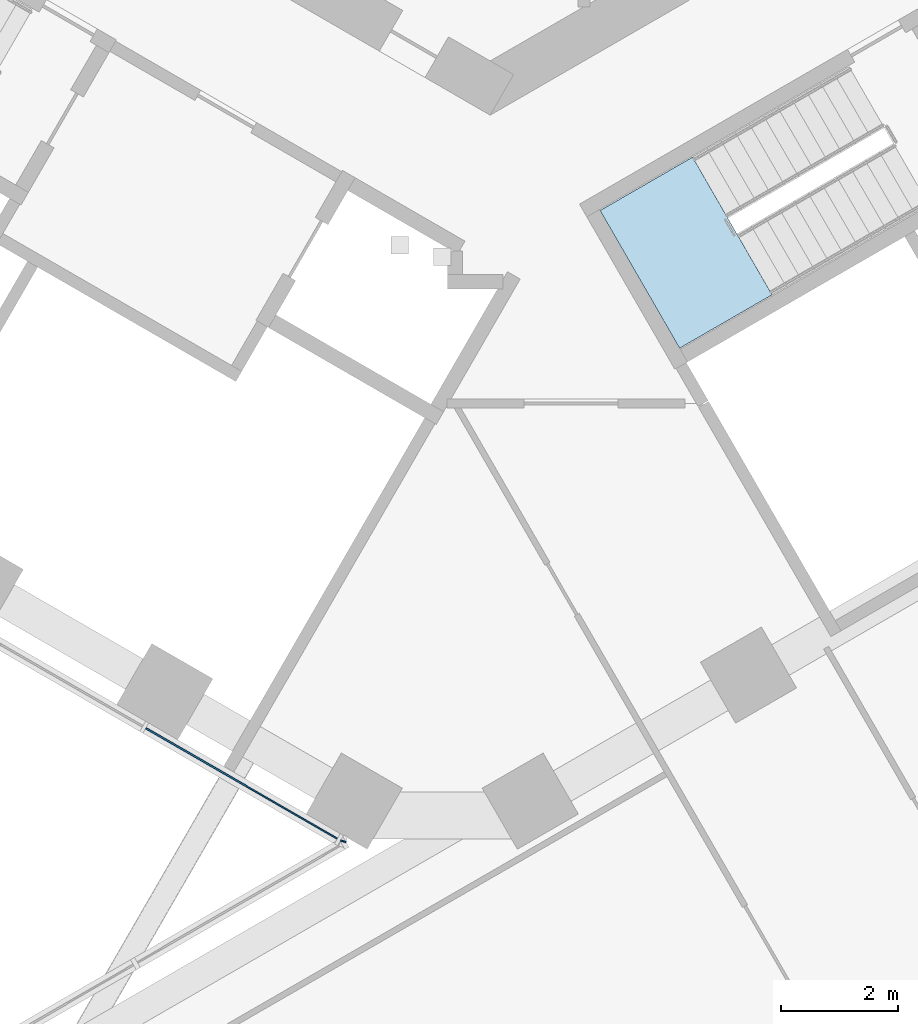
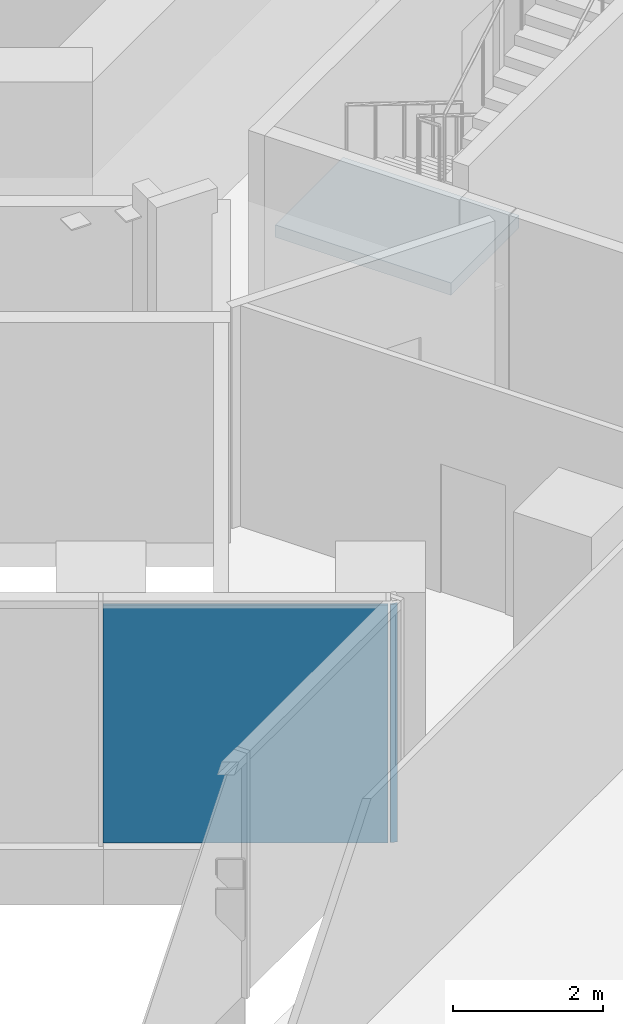
# One storey, part 13 of 27: 2 plates, 1 slab, 3 elements without a shape of their own.
"""IFC4 building model written with IfcOpenShell, lengths in metres."""

import ifcopenshell
import ifcopenshell.guid

model = None  # the IFC model being written
_history = None  # IfcOwnerHistory: only IFC2X3 demands one
_inside = {}  # id of a spatial element -> (the spatial element, [elements in it])
_under = {}  # id of a project, library or spatial element -> (it, [spatial elements below it])
_declared = {}  # id of a project -> (the project, [libraries it declares])
_typed = {}  # id of a type object -> (the type object, [elements of that type])
_made_of = {}  # id of a material, layer set ... -> (it, [elements and type objects made of it])


def new_model(schema):
    """Start an empty IFC model of exactly this schema.

    Asked for "IFC4X3", IfcOpenShell would pick the latest addendum, in which some entities
    have other attributes; the version numbers below select the first issue.
    IFC2X3 requires an IfcOwnerHistory on every rooted entity: one is made here for all.
    """
    global model, _history
    if schema == "IFC4X3":
        model = ifcopenshell.file(schema_version=(4, 3, 0, 0))
    else:
        model = ifcopenshell.file(schema=schema)
    _inside.clear()
    _under.clear()
    _declared.clear()
    _typed.clear()
    _made_of.clear()
    _history = None
    if model.schema == "IFC2X3":
        org = make("IfcOrganization", Name="unknown")
        user = make(
            "IfcPersonAndOrganization",
            ThePerson=make("IfcPerson", FamilyName="unknown"),
            TheOrganization=org,
        )
        app = make(
            "IfcApplication",
            ApplicationDeveloper=org,
            Version="unknown",
            ApplicationFullName="unknown",
            ApplicationIdentifier="unknown",
        )
        _history = make(
            "IfcOwnerHistory",
            OwningUser=user,
            OwningApplication=app,
            ChangeAction="ADDED",
            CreationDate=0,
        )
    return model


def make(cls, **values):
    """One entity of the class cls with the attributes given. An attribute that is None is left unset."""
    return model.create_entity(
        cls, **{name: value for name, value in values.items() if value is not None}
    )


def rooted(cls, **values):
    """An entity with a GlobalId (a new one), such as an element, a storey or a relation."""
    return make(cls, GlobalId=ifcopenshell.guid.new(), OwnerHistory=_history, **values)


def si_unit(unit_type, name, prefix=None):
    """IfcSIUnit, for example si_unit("LENGTHUNIT", "METRE", prefix="MILLI")."""
    return make("IfcSIUnit", UnitType=unit_type, Prefix=prefix, Name=name)


def assignment(units):
    """IfcUnitAssignment: the units of a project."""
    return None if units is None else make("IfcUnitAssignment", Units=units)


def point(xyz):
    """IfcCartesianPoint."""
    return None if xyz is None else make("IfcCartesianPoint", Coordinates=xyz)


def direction(xyz):
    """IfcDirection."""
    return None if xyz is None else make("IfcDirection", DirectionRatios=xyz)


def frame(location, z_axis=None, x_axis=None):
    """IfcAxis2Placement3D, a coordinate frame: its origin and axes. An axis left out is left unset."""
    return make(
        "IfcAxis2Placement3D",
        Location=point(location),
        Axis=direction(z_axis),
        RefDirection=direction(x_axis),
    )


def frame_2d(location, x_axis=None):
    """IfcAxis2Placement2D, a coordinate frame in the plane: its origin and x axis."""
    return make(
        "IfcAxis2Placement2D", Location=point(location), RefDirection=direction(x_axis)
    )


def origin():
    """The frame at (0, 0, 0) with its axes left unset."""
    return frame((0.0, 0.0, 0.0))


def origin_2d():
    """The frame at (0, 0) in the plane with its x axis left unset."""
    return frame_2d((0.0, 0.0))


def place(relative_to, where):
    """IfcLocalPlacement: puts the frame where relative to a parent placement (None: the world)."""
    return make(
        "IfcLocalPlacement", PlacementRelTo=relative_to, RelativePlacement=where
    )


def context(
    kind, dimensions, precision=None, world=None, true_north=None, identifier=None
):
    """IfcGeometricRepresentationContext, for example the 3D "Model" context."""
    return make(
        "IfcGeometricRepresentationContext",
        ContextIdentifier=identifier,
        ContextType=kind,
        CoordinateSpaceDimension=dimensions,
        Precision=precision,
        WorldCoordinateSystem=world,
        TrueNorth=true_north,
    )


def subcontext(parent, identifier, kind, view, scale=None):
    """IfcGeometricRepresentationSubContext, for example "Body" below "Model"."""
    return make(
        "IfcGeometricRepresentationSubContext",
        ContextIdentifier=identifier,
        ContextType=kind,
        ParentContext=parent,
        TargetScale=scale,
        TargetView=view,
    )


def project(units=None, contexts=None):
    """IfcProject with its units and contexts."""
    return rooted(
        "IfcProject",
        Name="project",
        RepresentationContexts=contexts,
        UnitsInContext=assignment(units),
    )


def spatial(cls, under=None, at=None, **own):
    """A site, building, storey or space (cls), placed at a placement, below another one or the project."""
    s = rooted(cls, ObjectPlacement=at, **own)
    if under is not None:
        _under.setdefault(under.id(), (under, []))[1].append(s)
    return s


def polyline(points):
    """IfcPolyline through the points."""
    return make("IfcPolyline", Points=[point(p) for p in points])


def profile(cls, at=None, kind="AREA", **sizes):
    """A parametric profile (cls). Its sizes go by their IFC names, for example OverallWidth=200.0."""
    return make(cls, ProfileType=kind, Position=at, **sizes)


def rectangle(**sizes):
    """IfcRectangleProfileDef."""
    return profile("IfcRectangleProfileDef", **sizes)


def outline(outer, holes=None, kind="AREA"):
    """IfcArbitraryClosedProfileDef: a profile drawn as a closed curve; with holes, ...WithVoids."""
    if holes is None:
        return make("IfcArbitraryClosedProfileDef", ProfileType=kind, OuterCurve=outer)
    return make(
        "IfcArbitraryProfileDefWithVoids",
        ProfileType=kind,
        OuterCurve=outer,
        InnerCurves=holes,
    )


def extrude(swept, where, along, depth):
    """IfcExtrudedAreaSolid: the profile swept, set in the frame where, extruded along a direction by depth."""
    return make(
        "IfcExtrudedAreaSolid",
        SweptArea=swept,
        Position=where,
        ExtrudedDirection=direction(along),
        Depth=depth,
    )


def shape(context_of_items, identifier, shape_type, items):
    """IfcShapeRepresentation: the items that make up one representation, for example the "Body"."""
    return make(
        "IfcShapeRepresentation",
        ContextOfItems=context_of_items,
        RepresentationIdentifier=identifier,
        RepresentationType=shape_type,
        Items=items,
    )


def material(Name=None, Category=None):
    """IfcMaterial."""
    return make("IfcMaterial", Name=Name, Category=Category)


def layer(
    of_material, thickness, ventilated=None, Name=None, Category=None, Priority=None
):
    """IfcMaterialLayer: one layer of a wall or slab, of a material (None: an air gap)."""
    return make(
        "IfcMaterialLayer",
        Material=of_material,
        LayerThickness=thickness,
        IsVentilated=ventilated,
        Name=Name,
        Category=Category,
        Priority=Priority,
    )


def layer_set(layers, Name=None):
    """IfcMaterialLayerSet."""
    return make("IfcMaterialLayerSet", MaterialLayers=layers, LayerSetName=Name)


def made_of(thing, what):
    """Note that an element or type object is made of a material, layer set ...; save() writes the relation."""
    if what is not None:
        _made_of.setdefault(what.id(), (what, []))[1].append(thing)
    return thing


def type_object(cls, material=None, **own):
    """A type object (cls), such as IfcWallType, which elements share."""
    return made_of(rooted(cls, **own), material)


def element(
    cls,
    number,
    at=None,
    inside=None,
    cuts=None,
    type_object=None,
    material=None,
    context=None,
    identifier="Body",
    shape_type=None,
    held_by="IfcProductDefinitionShape",
    body=None,
    shapes=None,
    **own,
):
    """One element of the class cls, such as IfcWall. Its Tag is "e" and its number.

    at: its placement. inside: the storey or other place that contains it. cuts: it is an
    opening in that element (IfcRelVoidsElement). A single representation is given by context,
    identifier, shape_type and body (its items); several are given by shapes. held_by: the class
    of the entity that holds the representations. save() writes the other relations.
    """
    e = rooted(cls, Tag="e%d" % number, ObjectPlacement=at, **own)
    if body is not None:
        shapes = [shape(context, identifier, shape_type, body)]
    if shapes is not None:
        e.Representation = make(held_by, Representations=shapes)
    if inside is not None:
        _inside.setdefault(inside.id(), (inside, []))[1].append(e)
    if cuts is not None:
        rooted(
            "IfcRelVoidsElement", RelatingBuildingElement=cuts, RelatedOpeningElement=e
        )
    if type_object is not None:
        _typed.setdefault(type_object.id(), (type_object, []))[1].append(e)
    return made_of(e, material)


def aggregate(whole, parts):
    """IfcRelAggregates: a whole, such as a stair, and the parts it consists of."""
    return rooted("IfcRelAggregates", RelatingObject=whole, RelatedObjects=parts)


def save(model, path):
    """Write the relations noted so far, then the file.

    IfcRelAggregates (storeys below a building ...), IfcRelContainedInSpatialStructure (elements
    in a storey), IfcRelDefinesByType, IfcRelAssociatesMaterial and IfcRelDeclares: one each for
    every whole, place, type object, material and project.
    """
    for whole, parts in _under.values():
        aggregate(whole, parts)
    for where, things in _inside.values():
        rooted(
            "IfcRelContainedInSpatialStructure",
            RelatedElements=things,
            RelatingStructure=where,
        )
    for kind, things in _typed.values():
        rooted("IfcRelDefinesByType", RelatedObjects=things, RelatingType=kind)
    for what, things in _made_of.values():
        rooted("IfcRelAssociatesMaterial", RelatedObjects=things, RelatingMaterial=what)
    for by, libraries in _declared.values():
        rooted("IfcRelDeclares", RelatingContext=by, RelatedDefinitions=libraries)
    model.write(path)


model = new_model("IFC4")

# Units and contexts
model_context = context("Model", 3, precision=1e-05, world=origin(), true_north=direction((0.0, 1.0)))
body_context = subcontext(model_context, "Body", "Model", "MODEL_VIEW")
ifc_project = project(units=[si_unit("LENGTHUNIT", "METRE"), si_unit("AREAUNIT", "SQUARE_METRE"), si_unit("VOLUMEUNIT", "CUBIC_METRE"), si_unit("PLANEANGLEUNIT", "RADIAN"), si_unit("MASSUNIT", "GRAM", prefix="KILO")], contexts=[model_context])

# Site, building, storey
site_placement = place(None, origin())
site = spatial("IfcSite", under=ifc_project, at=site_placement, CompositionType="ELEMENT")
building_placement = place(site_placement, origin())
building = spatial("IfcBuilding", under=site, at=building_placement, Name="Ayvan Gate Tower", CompositionType="ELEMENT")
storey_placement = place(building_placement, frame((0.0, 0.0, 70.300048828125)))
storey = spatial("IfcBuildingStorey", under=building, at=storey_placement, Name="L18", CompositionType="ELEMENT", Elevation=70.300048828125)

# Stair, slab
ifc_material_1 = material(Name="Concrete C40/50", Category="concrete")
stair_type = type_object("IfcStairType", Name="ST-EXIT", PredefinedType="HALF_TURN_STAIR", material=ifc_material_1)
stair_placement = place(storey_placement, origin())
stair = element("IfcStair", 1, at=stair_placement, inside=storey, type_object=stair_type, Name="L18 Exit Stair S3", PredefinedType="HALF_TURN_STAIR")
ifc_layer_1 = layer(ifc_material_1, 0.199951171875)
ifc_layer_set_1 = layer_set([ifc_layer_1], Name="Concrete C40/50")
slab_type = type_object("IfcSlabType", Name="SL-LANDING-200", PredefinedType="LANDING", material=ifc_layer_set_1)
slab_placement = place(storey_placement, frame((0.0, 0.0, 1.800048828125)))
slab = element("IfcSlab", 2, at=slab_placement, type_object=slab_type, Name="STS3 landing 1", PredefinedType="LANDING", context=body_context, shape_type="SweptSolid", body=[
    extrude(outline(polyline([(3.449951171875, -11.685546875), (1.873779296875, -12.595458984375), (3.228759765625, -14.9423828125), (4.804931640625, -14.032470703125), (3.449951171875, -11.685546875)])), origin(), (0.0, 0.0, 1.0), 0.199951171875),
])
aggregate(stair, [slab])

# Curtain wall, plate
ifc_material_2 = material(Name="Bronze anodised aluminium", Category="aluminium")
ifc_layer_2 = layer(ifc_material_2, 0.199951171875)
ifc_layer_set_2 = layer_set([ifc_layer_2], Name="Bronze anodised aluminium")
curtain_wall_type_1 = type_object("IfcCurtainWallType", Name="Stick curtain wall CW-1", PredefinedType="NOTDEFINED", material=ifc_layer_set_2)
curtain_wall_1_placement = place(storey_placement, origin())
curtain_wall_1 = element("IfcCurtainWall", 3, at=curtain_wall_1_placement, inside=storey, type_object=curtain_wall_type_1, Name="Stick curtain wall CW-1 L18", PredefinedType="NOTDEFINED")
ifc_material_3 = material(Name="Clear low-iron laminated glass", Category="glass")
ifc_layer_3 = layer(ifc_material_3, 0.028076171875)
ifc_layer_set_3 = layer_set([ifc_layer_3], Name="Clear low-iron laminated glass")
plate_type_1 = type_object("IfcPlateType", Name="Stick curtain wall CW-1 glass panel", PredefinedType="CURTAIN_PANEL", material=ifc_layer_set_3)
plate_1_placement = place(storey_placement, frame((-4.224609375, -22.369140625, 0.0), z_axis=(0.0, 0.0, 1.0), x_axis=(0.866025403784, -0.5, 0.0)))
plate_1 = element("IfcPlate", 4, at=plate_1_placement, type_object=plate_type_1, Name="CW-1 glass panel 5", PredefinedType="CURTAIN_PANEL", context=body_context, shape_type="SweptSolid", body=[
    extrude(rectangle(XDim=3.80224609375, YDim=0.028076171875, at=origin_2d()), origin(), (0.0, 0.0, 1.0), 3.8798828125),
])
aggregate(curtain_wall_1, [plate_1])

ifc_layer_4 = layer(ifc_material_2, 0.199951171875)
ifc_layer_set_4 = layer_set([ifc_layer_4], Name="Bronze anodised aluminium")
curtain_wall_type_2 = type_object("IfcCurtainWallType", Name="Stick curtain wall CW-6", PredefinedType="NOTDEFINED", material=ifc_layer_set_4)
curtain_wall_2_placement = place(storey_placement, origin())
curtain_wall_2 = element("IfcCurtainWall", 5, at=curtain_wall_2_placement, inside=storey, type_object=curtain_wall_type_2, Name="Stick curtain wall CW-6 L18", PredefinedType="NOTDEFINED")
ifc_layer_5 = layer(ifc_material_3, 0.028076171875)
ifc_layer_set_5 = layer_set([ifc_layer_5], Name="Clear low-iron laminated glass")
plate_type_2 = type_object("IfcPlateType", Name="Stick curtain wall CW-6 glass panel", PredefinedType="CURTAIN_PANEL", material=ifc_layer_set_5)
plate_2_placement = place(storey_placement, frame((-2.504150390625, -23.34765625, 0.0), z_axis=(0.0, 0.0, 1.0), x_axis=(0.965925826289, -0.258819045103, 0.0)))
plate_2 = element("IfcPlate", 6, at=plate_2_placement, type_object=plate_type_2, Name="CW-6 glass panel 1", PredefinedType="CURTAIN_PANEL", context=body_context, shape_type="SweptSolid", body=[
    extrude(rectangle(XDim=0.099365234375, YDim=0.028076171875, at=origin_2d()), origin(), (0.0, 0.0, 1.0), 3.8798828125),
])
aggregate(curtain_wall_2, [plate_2])

save(model, "model.ifc")
